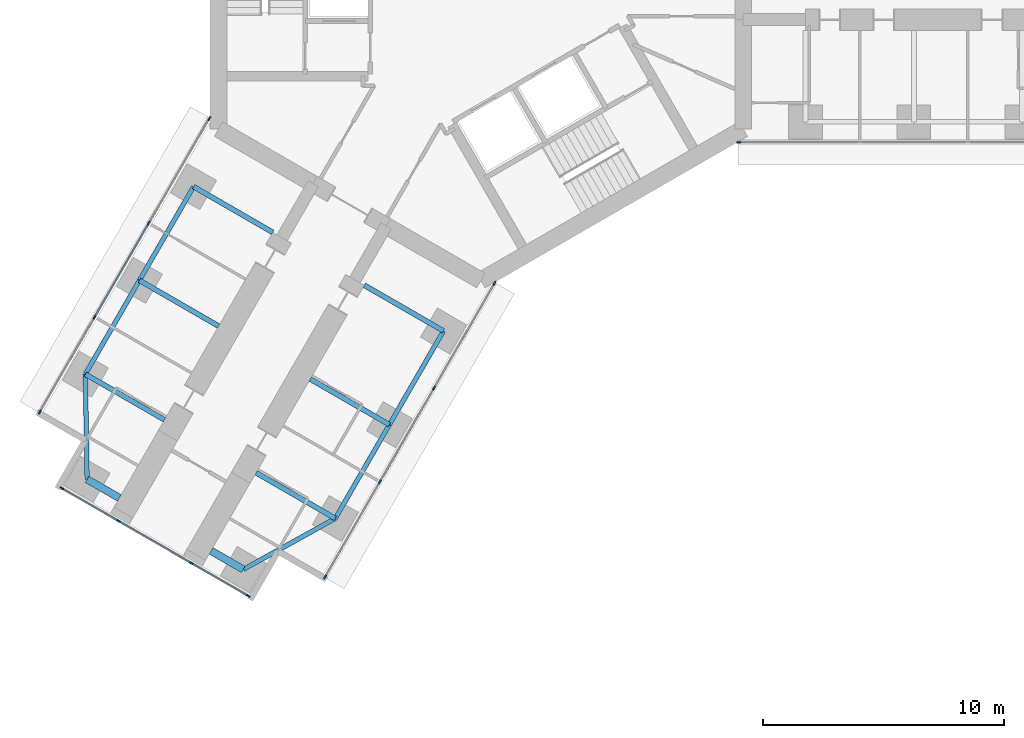
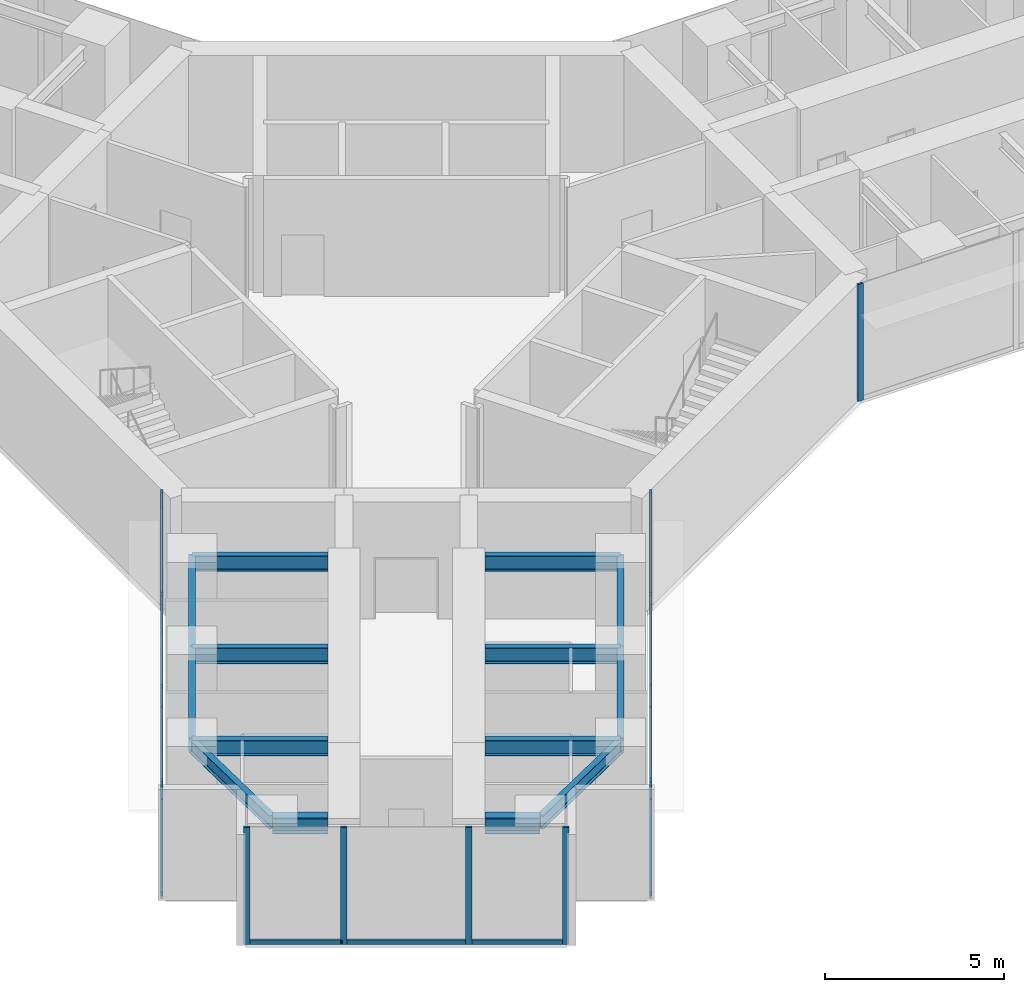
# One storey, part 2 of 25: 22 members, 14 beams, 4 elements without a shape of their own.
"""IFC4 building model written with IfcOpenShell, lengths in metres."""

from ifc_helpers import new_model, si_unit, direction, frame, origin, origin_2d, place, context, subcontext, project, spatial, rectangle, i_section, extrude, material, material_profile, profile_set, type_object, element, aggregate, save


model = new_model("IFC4")

# Units and contexts
model_context = context("Model", 3, precision=1e-05, world=origin(), true_north=direction((0.0, 1.0)))
body_context = subcontext(model_context, "Body", "Model", "MODEL_VIEW")
ifc_project = project(units=[si_unit("LENGTHUNIT", "METRE"), si_unit("AREAUNIT", "SQUARE_METRE"), si_unit("VOLUMEUNIT", "CUBIC_METRE"), si_unit("PLANEANGLEUNIT", "RADIAN"), si_unit("MASSUNIT", "GRAM", prefix="KILO")], contexts=[model_context])

# Site, building, storey
site_placement = place(None, origin())
site = spatial("IfcSite", under=ifc_project, at=site_placement, CompositionType="ELEMENT")
building_placement = place(site_placement, origin())
building = spatial("IfcBuilding", under=site, at=building_placement, Name="Upepo Twin Towers", CompositionType="ELEMENT")
storey_placement = place(building_placement, frame((0.0, 0.0, 76.5)))
storey = spatial("IfcBuildingStorey", under=building, at=storey_placement, Name="L18", CompositionType="ELEMENT", Elevation=76.5)

# Beams
ifc_material_1 = material(Name="Steel S355", Category="steel")
ifc_material_profile_1 = material_profile(ifc_material_1, i_section(OverallWidth=0.1904296875, OverallDepth=0.45703125, WebThickness=0.009033203125, FlangeThickness=0.014404296875, FilletRadius=0.01025390625, at=origin_2d()), Name="UB 457x191x74")
ifc_profile_set_1 = profile_set([ifc_material_profile_1], Name="Steel S355")
beam_type_1 = type_object("IfcBeamType", Name="Beam UB 457x191x74", PredefinedType="BEAM", material=ifc_profile_set_1)
beam_1_placement = place(storey_placement, frame((-1.553955078125, -14.69140625, 3.571533203125), z_axis=(-0.500013631625, -0.866017533419, 0.0), x_axis=(0.866017533419, -0.500013631625, 0.0)))
element("IfcBeam", 1, at=beam_1_placement, inside=storey, type_object=beam_type_1, Name="T1 edge beam CL 13.5-18.0", PredefinedType="BEAM", context=body_context, shape_type="SweptSolid", body=[
    extrude(i_section(OverallWidth=0.1904296875, OverallDepth=0.45703125, WebThickness=0.009033203125, FlangeThickness=0.014404296875, FilletRadius=0.01025390625, at=origin_2d()), origin(), (0.0, 0.0, 1.0), 4.499755859375),
])
beam_2_placement = place(storey_placement, frame((-3.803955078125, -18.58837890625, 3.571533203125), z_axis=(-0.499990139034, -0.866031096941, 0.0), x_axis=(0.866031096941, -0.499990139034, 0.0)))
element("IfcBeam", 2, at=beam_2_placement, inside=storey, type_object=beam_type_1, Name="T1 edge beam CL 18.0-22.5", PredefinedType="BEAM", context=body_context, shape_type="SweptSolid", body=[
    extrude(i_section(OverallWidth=0.1904296875, OverallDepth=0.45703125, WebThickness=0.009033203125, FlangeThickness=0.014404296875, FilletRadius=0.01025390625, at=origin_2d()), origin(), (0.0, 0.0, 1.0), 4.5),
])
beam_3_placement = place(storey_placement, frame((-6.053955078125, -22.485595703125, 3.571533203125), z_axis=(-0.874312600038, -0.485363242752, 0.0), x_axis=(0.485363242752, -0.874312600038, 0.0)))
element("IfcBeam", 3, at=beam_3_placement, inside=storey, type_object=beam_type_1, Name="T1 nose edge beam CL", PredefinedType="BEAM", context=body_context, shape_type="SweptSolid", body=[
    extrude(i_section(OverallWidth=0.1904296875, OverallDepth=0.45703125, WebThickness=0.009033203125, FlangeThickness=0.014404296875, FilletRadius=0.01025390625, at=origin_2d()), origin(), (0.0, 0.0, 1.0), 4.373046875),
])
beam_4_placement = place(storey_placement, frame((-11.946044921875, -8.69140625, 3.571533203125), z_axis=(-0.500013631625, -0.866017533419, 0.0), x_axis=(0.866017533419, -0.500013631625, 0.0)))
element("IfcBeam", 4, at=beam_4_placement, inside=storey, type_object=beam_type_1, Name="T1 edge beam CR 13.5-18.0", PredefinedType="BEAM", context=body_context, shape_type="SweptSolid", body=[
    extrude(i_section(OverallWidth=0.1904296875, OverallDepth=0.45703125, WebThickness=0.009033203125, FlangeThickness=0.014404296875, FilletRadius=0.01025390625, at=origin_2d()), origin(), (0.0, 0.0, 1.0), 4.499755859375),
])
beam_5_placement = place(storey_placement, frame((-14.196044921875, -12.58837890625, 3.571533203125), z_axis=(-0.499990139034, -0.866031096941, 0.0), x_axis=(0.866031096941, -0.499990139034, 0.0)))
element("IfcBeam", 5, at=beam_5_placement, inside=storey, type_object=beam_type_1, Name="T1 edge beam CR 18.0-22.5", PredefinedType="BEAM", context=body_context, shape_type="SweptSolid", body=[
    extrude(i_section(OverallWidth=0.1904296875, OverallDepth=0.45703125, WebThickness=0.009033203125, FlangeThickness=0.014404296875, FilletRadius=0.01025390625, at=origin_2d()), origin(), (0.0, 0.0, 1.0), 4.5),
])
beam_6_placement = place(storey_placement, frame((-16.446044921875, -16.485595703125, 3.571533203125), z_axis=(0.016803880528, -0.999858804832, 0.0), x_axis=(0.999858804832, 0.016803880528, 0.0)))
element("IfcBeam", 6, at=beam_6_placement, inside=storey, type_object=beam_type_1, Name="T1 nose edge beam CR", PredefinedType="BEAM", context=body_context, shape_type="SweptSolid", body=[
    extrude(i_section(OverallWidth=0.1904296875, OverallDepth=0.45703125, WebThickness=0.009033203125, FlangeThickness=0.014404296875, FilletRadius=0.01025390625, at=origin_2d()), origin(), (0.0, 0.0, 1.0), 4.373291015625),
])
ifc_material_2 = material(Name="Steel S355", Category="steel")
ifc_material_profile_2 = material_profile(ifc_material_2, i_section(OverallWidth=0.209228515625, OverallDepth=0.533203125, WebThickness=0.010009765625, FlangeThickness=0.015625, FilletRadius=0.0126953125, at=origin_2d()), Name="UB 533x210x92")
ifc_profile_set_2 = profile_set([ifc_material_profile_2], Name="Steel S355")
beam_type_2 = type_object("IfcBeamType", Name="Beam UB 533x210x92", PredefinedType="BEAM", material=ifc_profile_set_2)
beam_7_placement = place(storey_placement, frame((-1.553955078125, -14.69140625, 3.533447265625), z_axis=(-0.866000483506, 0.500043160704, 0.0), x_axis=(-0.500043160704, -0.866000483506, 0.0)))
element("IfcBeam", 7, at=beam_7_placement, inside=storey, type_object=beam_type_2, Name="T1 girder CL at 13.5", PredefinedType="BEAM", context=body_context, shape_type="SweptSolid", body=[
    extrude(i_section(OverallWidth=0.209228515625, OverallDepth=0.533203125, WebThickness=0.010009765625, FlangeThickness=0.015625, FilletRadius=0.0126953125, at=origin_2d()), origin(), (0.0, 0.0, 1.0), 3.800048828125),
])
for number, where, z_axis, x_axis, name in (
    (8, (-3.803955078125, -18.58837890625, 3.533447265625), (-0.866028304915, 0.499994975061, 0.0), (-0.499994975061, -0.866028304915, 0.0), "T1 girder CL at 18.0"),
    (9, (-6.053955078125, -22.485595703125, 3.533447265625), (-0.866028304915, 0.499994975061, 0.0), (-0.499994975061, -0.866028304915, 0.0), "T1 girder CL at 22.5"),
    (10, (-11.946044921875, -8.69140625, 3.533447265625), (0.866028304915, -0.499994975061, 0.0), (0.499994975061, 0.866028304915, 0.0), "T1 girder CR at 13.5"),
):
    element("IfcBeam", number, at=place(storey_placement, frame(where, z_axis=z_axis, x_axis=x_axis)), inside=storey, type_object=beam_type_2, Name=name, PredefinedType="BEAM", context=body_context, shape_type="SweptSolid", body=[
        extrude(i_section(OverallWidth=0.209228515625, OverallDepth=0.533203125, WebThickness=0.010009765625, FlangeThickness=0.015625, FilletRadius=0.0126953125, at=origin_2d()), origin(), (0.0, 0.0, 1.0), 3.7998046875),
    ])
beam_8_placement = place(storey_placement, frame((-14.196044921875, -12.58837890625, 3.533447265625), z_axis=(0.866000483506, -0.500043160704, 0.0), x_axis=(0.500043160704, 0.866000483506, 0.0)))
element("IfcBeam", 11, at=beam_8_placement, inside=storey, type_object=beam_type_2, Name="T1 girder CR at 18.0", PredefinedType="BEAM", context=body_context, shape_type="SweptSolid", body=[
    extrude(i_section(OverallWidth=0.209228515625, OverallDepth=0.533203125, WebThickness=0.010009765625, FlangeThickness=0.015625, FilletRadius=0.0126953125, at=origin_2d()), origin(), (0.0, 0.0, 1.0), 3.800048828125),
])
beam_9_placement = place(storey_placement, frame((-16.446044921875, -16.485595703125, 3.533447265625), z_axis=(0.866028304915, -0.499994975061, 0.0), x_axis=(0.499994975061, 0.866028304915, 0.0)))
element("IfcBeam", 12, at=beam_9_placement, inside=storey, type_object=beam_type_2, Name="T1 girder CR at 22.5", PredefinedType="BEAM", context=body_context, shape_type="SweptSolid", body=[
    extrude(i_section(OverallWidth=0.209228515625, OverallDepth=0.533203125, WebThickness=0.010009765625, FlangeThickness=0.015625, FilletRadius=0.0126953125, at=origin_2d()), origin(), (0.0, 0.0, 1.0), 3.7998046875),
])
ifc_material_3 = material(Name="Steel S355", Category="steel")
ifc_material_profile_3 = material_profile(ifc_material_3, i_section(OverallWidth=0.31201171875, OverallDepth=0.54345703125, WebThickness=0.0126953125, FlangeThickness=0.020263671875, FilletRadius=0.0126953125, at=origin_2d()), Name="UB 533x312x150")
ifc_profile_set_3 = profile_set([ifc_material_profile_3], Name="Steel S355")
beam_type_3 = type_object("IfcBeamType", Name="Beam UB 533x312x150", PredefinedType="BEAM", material=ifc_profile_set_3)
for number, where, z_axis, x_axis, name in (
    (13, (-9.87744140625, -24.608154296875, 3.5283203125), (-0.866043940782, 0.499967891604, 0.0), (-0.499967891604, -0.866043940782, 0.0), "T1 nose beam CL"),
    (14, (-16.37255859375, -20.858154296875, 3.5283203125), (0.866043940782, -0.499967891604, 0.0), (0.499967891604, 0.866043940782, 0.0), "T1 nose beam CR"),
):
    element("IfcBeam", number, at=place(storey_placement, frame(where, z_axis=z_axis, x_axis=x_axis)), inside=storey, type_object=beam_type_3, Name=name, PredefinedType="BEAM", context=body_context, shape_type="SweptSolid", body=[
        extrude(i_section(OverallWidth=0.31201171875, OverallDepth=0.54345703125, WebThickness=0.0126953125, FlangeThickness=0.020263671875, FilletRadius=0.0126953125, at=origin_2d()), origin(), (0.0, 0.0, 1.0), 1.5498046875),
    ])

# Curtain wall, member
ifc_material_4 = material(Name="Aluminium and fritted glass", Category="aluminium")
curtain_wall_type = type_object("IfcCurtainWallType", Name="Tower curtain wall TW1, fritted glass", PredefinedType="NOTDEFINED", material=ifc_material_4)
curtain_wall_1_placement = place(storey_placement, origin())
curtain_wall_1 = element("IfcCurtainWall", 15, at=curtain_wall_1_placement, inside=storey, type_object=curtain_wall_type, Name="T1 L18 wing A flank R curtain wall", PredefinedType="NOTDEFINED")
ifc_material_5 = material(Name="Aluminium mullion", Category="aluminium")
ifc_material_profile_4 = material_profile(ifc_material_5, rectangle(XDim=0.06494140625, YDim=0.179931640625, at=origin_2d()), Name="MULLION 65x180")
ifc_profile_set_4 = profile_set([ifc_material_profile_4], Name="Aluminium mullion")
member_type_1 = type_object("IfcMemberType", Name="Mullion 65x180 TW1", PredefinedType="MULLION", material=ifc_profile_set_4)
member_1_placement = place(storey_placement, frame((10.7197265625, -6.85009765625, 0.0), z_axis=(0.0, 0.0, 1.0), x_axis=(0.0, -1.0, 0.0)))
member_1 = element("IfcMember", 16, at=member_1_placement, type_object=member_type_1, Name="T1 L18 wing A flank R curtain wall mullion 4", PredefinedType="MULLION", context=body_context, shape_type="SweptSolid", body=[
    extrude(rectangle(XDim=0.06494140625, YDim=0.179931640625, at=origin_2d()), origin(), (0.0, 0.0, 1.0), 4.0),
])
aggregate(curtain_wall_1, [member_1])

# Curtain wall, members
curtain_wall_2_placement = place(storey_placement, origin())
curtain_wall_2 = element("IfcCurtainWall", 17, at=curtain_wall_2_placement, inside=storey, type_object=curtain_wall_type, Name="T1 L18 wing C flank L curtain wall", PredefinedType="NOTDEFINED")
member_2_placement = place(storey_placement, frame((0.572509765625, -12.70849609375, 0.0), z_axis=(0.0, 0.0, 1.0), x_axis=(0.866025389682, -0.500000024426, 0.0)))
member_2 = element("IfcMember", 18, at=member_2_placement, type_object=member_type_1, Name="T1 L18 wing C flank L curtain wall mullion 1", PredefinedType="MULLION", context=body_context, shape_type="SweptSolid", body=[
    extrude(rectangle(XDim=0.06494140625, YDim=0.179931640625, at=origin_2d()), origin(), (0.0, 0.0, 1.0), 4.0),
])
member_3_placement = place(storey_placement, frame((-1.942626953125, -17.06494140625, 0.0), z_axis=(0.0, 0.0, 1.0), x_axis=(0.866025389682, -0.500000024426, 0.0)))
member_3 = element("IfcMember", 19, at=member_3_placement, type_object=member_type_1, Name="T1 L18 wing C flank L curtain wall mullion 2", PredefinedType="MULLION", context=body_context, shape_type="SweptSolid", body=[
    extrude(rectangle(XDim=0.06494140625, YDim=0.179931640625, at=origin_2d()), origin(), (0.0, 0.0, 1.0), 4.0),
])
member_4_placement = place(storey_placement, frame((-4.192626953125, -20.9619140625, 0.0), z_axis=(0.0, 0.0, 1.0), x_axis=(0.866025389682, -0.500000024426, 0.0)))
member_4 = element("IfcMember", 20, at=member_4_placement, type_object=member_type_1, Name="T1 L18 wing C flank L curtain wall mullion 3", PredefinedType="MULLION", context=body_context, shape_type="SweptSolid", body=[
    extrude(rectangle(XDim=0.06494140625, YDim=0.179931640625, at=origin_2d()), origin(), (0.0, 0.0, 1.0), 4.0),
])
member_5_placement = place(storey_placement, frame((-6.4765625, -24.91748046875, 0.0), z_axis=(0.0, 0.0, 1.0), x_axis=(0.866025389682, -0.500000024426, 0.0)))
member_5 = element("IfcMember", 21, at=member_5_placement, type_object=member_type_1, Name="T1 L18 wing C flank L curtain wall mullion 4", PredefinedType="MULLION", context=body_context, shape_type="SweptSolid", body=[
    extrude(rectangle(XDim=0.06494140625, YDim=0.179931640625, at=origin_2d()), origin(), (0.0, 0.0, 1.0), 4.0),
])

curtain_wall_3_placement = place(storey_placement, origin())
curtain_wall_3 = element("IfcCurtainWall", 22, at=curtain_wall_3_placement, inside=storey, type_object=curtain_wall_type, Name="T1 L18 wing C flank R curtain wall", PredefinedType="NOTDEFINED")
member_6_placement = place(storey_placement, frame((-18.341064453125, -18.067626953125, 0.0), z_axis=(0.0, 0.0, 1.0), x_axis=(-0.866025389682, 0.500000024426, 0.0)))
member_6 = element("IfcMember", 23, at=member_6_placement, type_object=member_type_1, Name="T1 L18 wing C flank R curtain wall mullion 1", PredefinedType="MULLION", context=body_context, shape_type="SweptSolid", body=[
    extrude(rectangle(XDim=0.06494140625, YDim=0.179931640625, at=origin_2d()), origin(), (0.0, 0.0, 1.0), 4.0),
])
member_7_placement = place(storey_placement, frame((-16.057373046875, -14.112060546875, 0.0), z_axis=(0.0, 0.0, 1.0), x_axis=(-0.866025389682, 0.500000024426, 0.0)))
member_7 = element("IfcMember", 24, at=member_7_placement, type_object=member_type_1, Name="T1 L18 wing C flank R curtain wall mullion 2", PredefinedType="MULLION", context=body_context, shape_type="SweptSolid", body=[
    extrude(rectangle(XDim=0.06494140625, YDim=0.179931640625, at=origin_2d()), origin(), (0.0, 0.0, 1.0), 4.0),
])
member_8_placement = place(storey_placement, frame((-13.807373046875, -10.21484375, 0.0), z_axis=(0.0, 0.0, 1.0), x_axis=(-0.866025389682, 0.500000024426, 0.0)))
member_8 = element("IfcMember", 25, at=member_8_placement, type_object=member_type_1, Name="T1 L18 wing C flank R curtain wall mullion 3", PredefinedType="MULLION", context=body_context, shape_type="SweptSolid", body=[
    extrude(rectangle(XDim=0.06494140625, YDim=0.179931640625, at=origin_2d()), origin(), (0.0, 0.0, 1.0), 4.0),
])
member_9_placement = place(storey_placement, frame((-11.2919921875, -5.8583984375, 0.0), z_axis=(0.0, 0.0, 1.0), x_axis=(-0.866025389682, 0.500000024426, 0.0)))
member_9 = element("IfcMember", 26, at=member_9_placement, type_object=member_type_1, Name="T1 L18 wing C flank R curtain wall mullion 4", PredefinedType="MULLION", context=body_context, shape_type="SweptSolid", body=[
    extrude(rectangle(XDim=0.06494140625, YDim=0.179931640625, at=origin_2d()), origin(), (0.0, 0.0, 1.0), 4.0),
])

curtain_wall_4_placement = place(storey_placement, origin())
curtain_wall_4 = element("IfcCurtainWall", 27, at=curtain_wall_4_placement, inside=storey, type_object=curtain_wall_type, Name="T1 L18 wing C nose curtain wall", PredefinedType="NOTDEFINED")
member_10_placement = place(storey_placement, frame((-17.4189453125, -21.235595703125, 0.0), z_axis=(0.0, 0.0, 1.0), x_axis=(0.500000030502, 0.866025386174, 0.0)))
member_10 = element("IfcMember", 28, at=member_10_placement, type_object=member_type_1, Name="T1 L18 wing C nose curtain wall mullion 1", PredefinedType="MULLION", context=body_context, shape_type="SweptSolid", body=[
    extrude(rectangle(XDim=0.06494140625, YDim=0.179931640625, at=origin_2d()), origin(), (0.0, 0.0, 1.0), 4.0),
])
member_11_placement = place(storey_placement, frame((-15.0654296875, -22.59423828125, 0.0), z_axis=(0.0, 0.0, 1.0), x_axis=(0.500000030502, 0.866025386174, 0.0)))
member_11 = element("IfcMember", 29, at=member_11_placement, type_object=member_type_1, Name="T1 L18 wing C nose curtain wall mullion 2", PredefinedType="MULLION", context=body_context, shape_type="SweptSolid", body=[
    extrude(rectangle(XDim=0.06494140625, YDim=0.179931640625, at=origin_2d()), origin(), (0.0, 0.0, 1.0), 4.0),
])
member_12_placement = place(storey_placement, frame((-12.034423828125, -24.34423828125, 0.0), z_axis=(0.0, 0.0, 1.0), x_axis=(0.500000030502, 0.866025386174, 0.0)))
member_12 = element("IfcMember", 30, at=member_12_placement, type_object=member_type_1, Name="T1 L18 wing C nose curtain wall mullion 3", PredefinedType="MULLION", context=body_context, shape_type="SweptSolid", body=[
    extrude(rectangle(XDim=0.06494140625, YDim=0.179931640625, at=origin_2d()), origin(), (0.0, 0.0, 1.0), 4.0),
])
member_13_placement = place(storey_placement, frame((-9.68115234375, -25.703125, 0.0), z_axis=(0.0, 0.0, 1.0), x_axis=(0.500000030502, 0.866025386174, 0.0)))
member_13 = element("IfcMember", 31, at=member_13_placement, type_object=member_type_1, Name="T1 L18 wing C nose curtain wall mullion 4", PredefinedType="MULLION", context=body_context, shape_type="SweptSolid", body=[
    extrude(rectangle(XDim=0.06494140625, YDim=0.179931640625, at=origin_2d()), origin(), (0.0, 0.0, 1.0), 4.0),
])

# Member
ifc_material_6 = material(Name="Aluminium transom", Category="aluminium")
ifc_material_profile_5 = material_profile(ifc_material_6, rectangle(XDim=0.06494140625, YDim=0.14990234375, at=origin_2d()), Name="TRANSOM 65x150")
ifc_profile_set_5 = profile_set([ifc_material_profile_5], Name="Aluminium transom")
member_type_2 = type_object("IfcMemberType", Name="Transom 65x150 TW1", PredefinedType="USERDEFINED", material=ifc_profile_set_5)
member_14_placement = place(storey_placement, frame((0.55615234375, -12.736572265625, 0.074951171875), z_axis=(-0.499983492876, -0.866034933967, 0.0), x_axis=(0.866034933967, -0.499983492876, 0.0)))
member_14 = element("IfcMember", 32, at=member_14_placement, type_object=member_type_2, Name="T1 L18 wing C flank L curtain wall transom 1", ObjectType="TRANSOM", PredefinedType="USERDEFINED", context=body_context, shape_type="SweptSolid", body=[
    extrude(rectangle(XDim=0.06494140625, YDim=0.14990234375, at=origin_2d()), origin(), (0.0, 0.0, 1.0), 4.965576171875),
])

member_15_placement = place(storey_placement, frame((-1.958984375, -17.093017578125, 0.074951171875), z_axis=(-0.500005184116, -0.866022410713, 0.0), x_axis=(0.866022410713, -0.500005184116, 0.0)))
member_15 = element("IfcMember", 33, at=member_15_placement, type_object=member_type_2, Name="T1 L18 wing C flank L curtain wall transom 2", ObjectType="TRANSOM", PredefinedType="USERDEFINED", context=body_context, shape_type="SweptSolid", body=[
    extrude(rectangle(XDim=0.06494140625, YDim=0.14990234375, at=origin_2d()), origin(), (0.0, 0.0, 1.0), 4.43505859375),
])

member_16_placement = place(storey_placement, frame((-4.208984375, -20.990234375, 0.074951171875), z_axis=(-0.500005646842, -0.866022143554, 0.0), x_axis=(0.866022143554, -0.500005646842, 0.0)))
member_16 = element("IfcMember", 34, at=member_16_placement, type_object=member_type_2, Name="T1 L18 wing C flank L curtain wall transom 3", ObjectType="TRANSOM", PredefinedType="USERDEFINED", context=body_context, shape_type="SweptSolid", body=[
    extrude(rectangle(XDim=0.06494140625, YDim=0.14990234375, at=origin_2d()), origin(), (0.0, 0.0, 1.0), 4.50244140625),
])

aggregate(curtain_wall_2, [member_2, member_3, member_4, member_5, member_14, member_15, member_16])

member_17_placement = place(storey_placement, frame((-18.32470703125, -18.03955078125, 0.074951171875), z_axis=(0.499982167615, 0.866035699072, 0.0), x_axis=(-0.866035699072, 0.499982167615, 0.0)))
member_17 = element("IfcMember", 35, at=member_17_placement, type_object=member_type_2, Name="T1 L18 wing C flank R curtain wall transom 1", ObjectType="TRANSOM", PredefinedType="USERDEFINED", context=body_context, shape_type="SweptSolid", body=[
    extrude(rectangle(XDim=0.06494140625, YDim=0.14990234375, at=origin_2d()), origin(), (0.0, 0.0, 1.0), 4.502685546875),
])

member_18_placement = place(storey_placement, frame((-16.041015625, -14.083984375, 0.074951171875), z_axis=(0.500005184116, 0.866022410713, 0.0), x_axis=(-0.866022410713, 0.500005184116, 0.0)))
member_18 = element("IfcMember", 36, at=member_18_placement, type_object=member_type_2, Name="T1 L18 wing C flank R curtain wall transom 2", ObjectType="TRANSOM", PredefinedType="USERDEFINED", context=body_context, shape_type="SweptSolid", body=[
    extrude(rectangle(XDim=0.06494140625, YDim=0.14990234375, at=origin_2d()), origin(), (0.0, 0.0, 1.0), 4.43505859375),
])

member_19_placement = place(storey_placement, frame((-13.791015625, -10.186767578125, 0.074951171875), z_axis=(0.50000478328, 0.866022642139, 0.0), x_axis=(-0.866022642139, 0.50000478328, 0.0)))
member_19 = element("IfcMember", 37, at=member_19_placement, type_object=member_type_2, Name="T1 L18 wing C flank R curtain wall transom 3", ObjectType="TRANSOM", PredefinedType="USERDEFINED", context=body_context, shape_type="SweptSolid", body=[
    extrude(rectangle(XDim=0.06494140625, YDim=0.14990234375, at=origin_2d()), origin(), (0.0, 0.0, 1.0), 4.96533203125),
])

aggregate(curtain_wall_3, [member_6, member_7, member_8, member_9, member_17, member_18, member_19])

member_20_placement = place(storey_placement, frame((-17.390869140625, -21.251708984375, 0.074951171875), z_axis=(0.865997053448, -0.500049101008, 0.0), x_axis=(0.500049101008, 0.865997053448, 0.0)))
member_20 = element("IfcMember", 38, at=member_20_placement, type_object=member_type_2, Name="T1 L18 wing C nose curtain wall transom 1", ObjectType="TRANSOM", PredefinedType="USERDEFINED", context=body_context, shape_type="SweptSolid", body=[
    extrude(rectangle(XDim=0.06494140625, YDim=0.14990234375, at=origin_2d()), origin(), (0.0, 0.0, 1.0), 2.652587890625),
])

member_21_placement = place(storey_placement, frame((-15.037353515625, -22.610595703125, 0.074951171875), z_axis=(0.866025804792, -0.499999305434, 0.0), x_axis=(0.499999305434, 0.866025804792, 0.0)))
member_21 = element("IfcMember", 39, at=member_21_placement, type_object=member_type_2, Name="T1 L18 wing C nose curtain wall transom 2", ObjectType="TRANSOM", PredefinedType="USERDEFINED", context=body_context, shape_type="SweptSolid", body=[
    extrude(rectangle(XDim=0.06494140625, YDim=0.14990234375, at=origin_2d()), origin(), (0.0, 0.0, 1.0), 3.43505859375),
])

member_22_placement = place(storey_placement, frame((-12.00634765625, -24.360595703125, 0.074951171875), z_axis=(0.866036909293, -0.499980071345, 0.0), x_axis=(0.499980071345, 0.866036909293, 0.0)))
member_22 = element("IfcMember", 40, at=member_22_placement, type_object=member_type_2, Name="T1 L18 wing C nose curtain wall transom 3", ObjectType="TRANSOM", PredefinedType="USERDEFINED", context=body_context, shape_type="SweptSolid", body=[
    extrude(rectangle(XDim=0.06494140625, YDim=0.14990234375, at=origin_2d()), origin(), (0.0, 0.0, 1.0), 2.65234375),
])

aggregate(curtain_wall_4, [member_10, member_11, member_12, member_13, member_20, member_21, member_22])

save(model, "model.ifc")
